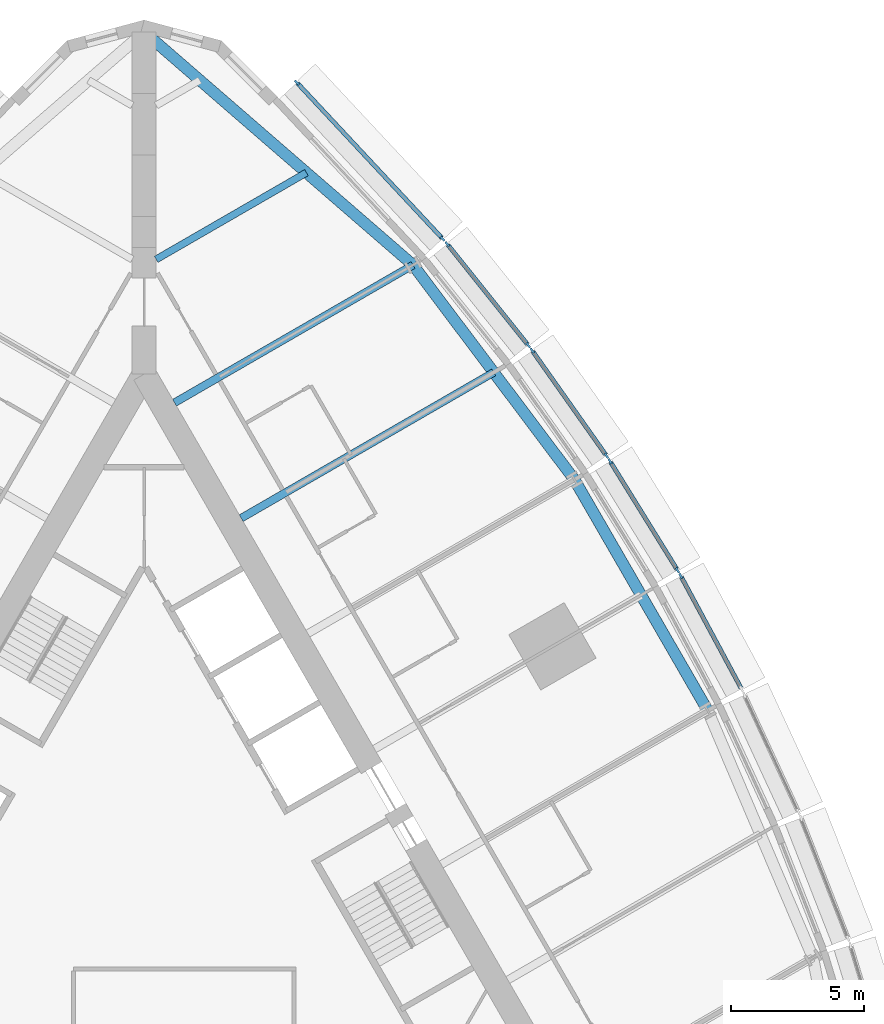
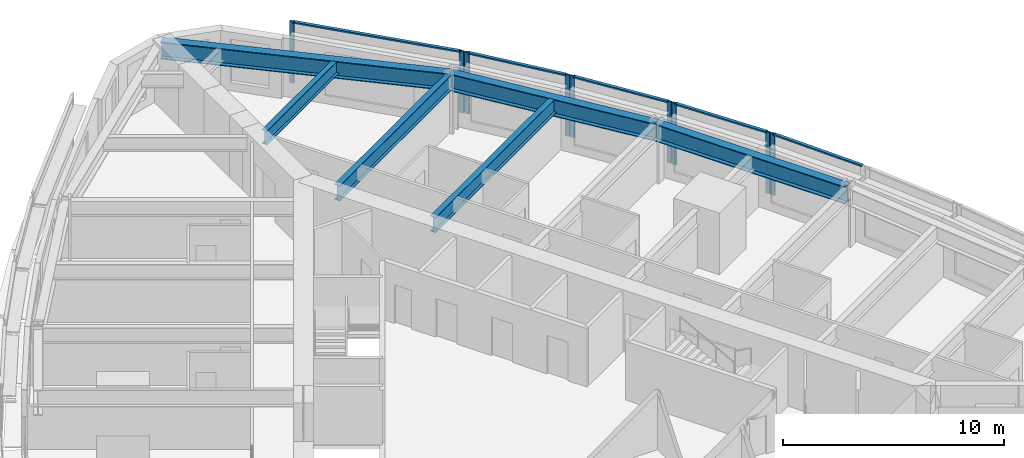
# One storey, part 5 of 14: 14 members, 6 beams, 5 elements without a shape of their own.
"""IFC4 building model written with IfcOpenShell, lengths in metres."""

from ifc_helpers import new_model, si_unit, direction, frame, origin, origin_2d, place, context, subcontext, project, spatial, rectangle, i_section, extrude, material, material_profile, profile_set, type_object, element, aggregate, save


model = new_model("IFC4")

# Units and contexts
model_context = context("Model", 3, precision=1e-05, world=origin(), true_north=direction((0.0, 1.0)))
body_context = subcontext(model_context, "Body", "Model", "MODEL_VIEW")
ifc_project = project(units=[si_unit("LENGTHUNIT", "METRE"), si_unit("AREAUNIT", "SQUARE_METRE"), si_unit("VOLUMEUNIT", "CUBIC_METRE"), si_unit("PLANEANGLEUNIT", "RADIAN"), si_unit("MASSUNIT", "GRAM", prefix="KILO")], contexts=[model_context])

# Site, building, storey
site_placement = place(None, origin())
site = spatial("IfcSite", under=ifc_project, at=site_placement, CompositionType="ELEMENT")
building_placement = place(site_placement, origin())
building = spatial("IfcBuilding", under=site, at=building_placement, Name="Trikona Tower", CompositionType="ELEMENT")
storey_placement = place(building_placement, frame((0.0, 0.0, 76.10009765625)))
storey = spatial("IfcBuildingStorey", under=building, at=storey_placement, Name="L19", CompositionType="ELEMENT", Elevation=76.10009765625)

# Curtain wall, member
ifc_material_1 = material(Name="Aluminium curtain wall system", Category="aluminium")
curtain_wall_type = type_object("IfcCurtainWallType", Name="Curtain wall DS1", PredefinedType="NOTDEFINED", material=ifc_material_1)
curtain_wall_1_placement = place(storey_placement, origin())
curtain_wall_1 = element("IfcCurtainWall", 1, at=curtain_wall_1_placement, inside=storey, type_object=curtain_wall_type, Name="Curtain wall DS1 L19", PredefinedType="NOTDEFINED")
ifc_material_2 = material(Name="Aluminium mullion, pale anodised", Category="aluminium")
ifc_material_profile_1 = material_profile(ifc_material_2, rectangle(XDim=0.080078125, YDim=0.219970703125, at=origin_2d()), Name="MUL-DS1")
ifc_profile_set_1 = profile_set([ifc_material_profile_1], Name="Aluminium mullion, pale anodised")
member_type_1 = type_object("IfcMemberType", Name="Mullion DS1 80x220", PredefinedType="MULLION", material=ifc_profile_set_1)
member_1_placement = place(storey_placement, frame((20.128662109375, 11.474365234375, 0.0), z_axis=(0.0, 0.0, 1.0), x_axis=(-0.880843080975, -0.473408350896, 0.0)))
member_1 = element("IfcMember", 2, at=member_1_placement, type_object=member_type_1, Name="CW-DS1 mullion 2", PredefinedType="MULLION", context=body_context, shape_type="SweptSolid", body=[
    extrude(rectangle(XDim=0.080078125, YDim=0.219970703125, at=origin_2d()), origin(), (0.0, 0.0, 1.0), 3.39990234375),
])

# Curtain wall, members
curtain_wall_2_placement = place(storey_placement, origin())
curtain_wall_2 = element("IfcCurtainWall", 3, at=curtain_wall_2_placement, inside=storey, type_object=curtain_wall_type, Name="Curtain wall DS1 L19", PredefinedType="NOTDEFINED")
member_2_placement = place(storey_placement, frame((20.00146484375, 11.69482421875, 0.0), z_axis=(0.0, 0.0, 1.0), x_axis=(-0.850410468941, -0.526119790842, 0.0)))
member_2 = element("IfcMember", 4, at=member_2_placement, type_object=member_type_1, Name="CW-DS1 mullion 1", PredefinedType="MULLION", context=body_context, shape_type="SweptSolid", body=[
    extrude(rectangle(XDim=0.080078125, YDim=0.219970703125, at=origin_2d()), origin(), (0.0, 0.0, 1.0), 3.39990234375),
])
member_3_placement = place(storey_placement, frame((17.474853515625, 15.77880859375, 0.0), z_axis=(0.0, 0.0, 1.0), x_axis=(-0.850410468941, -0.526119790842, 0.0)))
member_3 = element("IfcMember", 5, at=member_3_placement, type_object=member_type_1, Name="CW-DS1 mullion 2", PredefinedType="MULLION", context=body_context, shape_type="SweptSolid", body=[
    extrude(rectangle(XDim=0.080078125, YDim=0.219970703125, at=origin_2d()), origin(), (0.0, 0.0, 1.0), 3.39990234375),
])

curtain_wall_3_placement = place(storey_placement, origin())
curtain_wall_3 = element("IfcCurtainWall", 6, at=curtain_wall_3_placement, inside=storey, type_object=curtain_wall_type, Name="Curtain wall DS1 L19", PredefinedType="NOTDEFINED")
member_4_placement = place(storey_placement, frame((17.33447265625, 15.990966796875, 0.0), z_axis=(0.0, 0.0, 1.0), x_axis=(-0.816985393055, -0.576658362928, 0.0)))
member_4 = element("IfcMember", 7, at=member_4_placement, type_object=member_type_1, Name="CW-DS1 mullion 1", PredefinedType="MULLION", context=body_context, shape_type="SweptSolid", body=[
    extrude(rectangle(XDim=0.080078125, YDim=0.219970703125, at=origin_2d()), origin(), (0.0, 0.0, 1.0), 3.39990234375),
])
member_5_placement = place(storey_placement, frame((14.554443359375, 19.929443359375, 0.0), z_axis=(0.0, 0.0, 1.0), x_axis=(-0.816985393055, -0.576658362928, 0.0)))
member_5 = element("IfcMember", 8, at=member_5_placement, type_object=member_type_1, Name="CW-DS1 mullion 2", PredefinedType="MULLION", context=body_context, shape_type="SweptSolid", body=[
    extrude(rectangle(XDim=0.080078125, YDim=0.219970703125, at=origin_2d()), origin(), (0.0, 0.0, 1.0), 3.39990234375),
])

curtain_wall_4_placement = place(storey_placement, origin())
curtain_wall_4 = element("IfcCurtainWall", 9, at=curtain_wall_4_placement, inside=storey, type_object=curtain_wall_type, Name="Curtain wall DS1 L19", PredefinedType="NOTDEFINED")
member_6_placement = place(storey_placement, frame((14.40185546875, 20.13232421875, 0.0), z_axis=(0.0, 0.0, 1.0), x_axis=(-0.780937959679, -0.624608599951, 0.0)))
member_6 = element("IfcMember", 10, at=member_6_placement, type_object=member_type_1, Name="CW-DS1 mullion 1", PredefinedType="MULLION", context=body_context, shape_type="SweptSolid", body=[
    extrude(rectangle(XDim=0.080078125, YDim=0.219970703125, at=origin_2d()), origin(), (0.0, 0.0, 1.0), 3.39990234375),
])
member_7_placement = place(storey_placement, frame((11.36767578125, 23.926025390625, 0.0), z_axis=(0.0, 0.0, 1.0), x_axis=(-0.780937959679, -0.624608599951, 0.0)))
member_7 = element("IfcMember", 11, at=member_7_placement, type_object=member_type_1, Name="CW-DS1 mullion 2", PredefinedType="MULLION", context=body_context, shape_type="SweptSolid", body=[
    extrude(rectangle(XDim=0.080078125, YDim=0.219970703125, at=origin_2d()), origin(), (0.0, 0.0, 1.0), 3.39990234375),
])

curtain_wall_5_placement = place(storey_placement, origin())
curtain_wall_5 = element("IfcCurtainWall", 12, at=curtain_wall_5_placement, inside=storey, type_object=curtain_wall_type, Name="Curtain wall DS1 L19", PredefinedType="NOTDEFINED")
member_8_placement = place(storey_placement, frame((11.192138671875, 24.129150390625, 0.0), z_axis=(0.0, 0.0, 1.0), x_axis=(-0.731076639405, -0.682295351967, 0.0)))
member_8 = element("IfcMember", 13, at=member_8_placement, type_object=member_type_1, Name="CW-DS1 mullion 1", PredefinedType="MULLION", context=body_context, shape_type="SweptSolid", body=[
    extrude(rectangle(XDim=0.080078125, YDim=0.219970703125, at=origin_2d()), origin(), (0.0, 0.0, 1.0), 3.39990234375),
])
member_9_placement = place(storey_placement, frame((5.72607421875, 29.98583984375, 0.0), z_axis=(0.0, 0.0, 1.0), x_axis=(-0.731076639405, -0.682295351967, 0.0)))
member_9 = element("IfcMember", 14, at=member_9_placement, type_object=member_type_1, Name="CW-DS1 mullion 2", PredefinedType="MULLION", context=body_context, shape_type="SweptSolid", body=[
    extrude(rectangle(XDim=0.080078125, YDim=0.219970703125, at=origin_2d()), origin(), (0.0, 0.0, 1.0), 3.39990234375),
])

# Beams
ifc_material_3 = material(Name="Steel ASTM A992 Grade 50", Category="steel")
ifc_material_profile_2 = material_profile(ifc_material_3, i_section(OverallWidth=0.2666015625, OverallDepth=0.76953125, WebThickness=0.015625, FlangeThickness=0.025390625, at=origin_2d()), Name="W30X132")
ifc_profile_set_2 = profile_set([ifc_material_profile_2], Name="Steel ASTM A992 Grade 50")
beam_type_1 = type_object("IfcBeamType", Name="Steel beam W30x132 (wedge)", PredefinedType="BEAM", material=ifc_profile_set_2)
beam_1_placement = place(storey_placement, frame((0.449951171875, 23.353759765625, 2.85009765625), z_axis=(0.866022504693, 0.50000502134, 0.0), x_axis=(-0.50000502134, 0.866022504693, 0.0)))
element("IfcBeam", 15, at=beam_1_placement, inside=storey, type_object=beam_type_1, Name="Floor beam L20 F2 u20", PredefinedType="BEAM", context=body_context, shape_type="SweptSolid", body=[
    extrude(i_section(OverallWidth=0.2666015625, OverallDepth=0.76953125, WebThickness=0.015625, FlangeThickness=0.025390625, at=origin_2d()), origin(), (0.0, 0.0, 1.0), 6.5068359375),
])
ifc_material_4 = material(Name="Steel ASTM A992 Grade 50", Category="steel")
ifc_material_profile_3 = material_profile(ifc_material_4, i_section(OverallWidth=0.2919921875, OverallDepth=0.845703125, WebThickness=0.015380859375, FlangeThickness=0.0244140625, at=origin_2d()), Name="W33X141")
ifc_profile_set_3 = profile_set([ifc_material_profile_3], Name="Steel ASTM A992 Grade 50")
beam_type_2 = type_object("IfcBeamType", Name="Steel beam W33x141 (radial typ)", PredefinedType="BEAM", material=ifc_profile_set_3)
beam_2_placement = place(storey_placement, frame((3.6396484375, 13.6484375, 2.81201171875), z_axis=(0.866025348605, 0.500000095573, 0.0), x_axis=(-0.500000095573, 0.866025348605, 0.0)))
element("IfcBeam", 16, at=beam_2_placement, inside=storey, type_object=beam_type_2, Name="Floor beam L20 F2 u10", PredefinedType="BEAM", context=body_context, shape_type="SweptSolid", body=[
    extrude(i_section(OverallWidth=0.2919921875, OverallDepth=0.845703125, WebThickness=0.015380859375, FlangeThickness=0.0244140625, at=origin_2d()), origin(), (0.0, 0.0, 1.0), 10.935546875),
])
beam_3_placement = place(storey_placement, frame((1.1396484375, 17.978515625, 2.81201171875), z_axis=(0.866030471684, 0.499991222037, 0.0), x_axis=(-0.499991222037, 0.866030471684, 0.0)))
element("IfcBeam", 17, at=beam_3_placement, inside=storey, type_object=beam_type_2, Name="Floor beam L20 F2 u15", PredefinedType="BEAM", context=body_context, shape_type="SweptSolid", body=[
    extrude(i_section(OverallWidth=0.2919921875, OverallDepth=0.845703125, WebThickness=0.015380859375, FlangeThickness=0.0244140625, at=origin_2d()), origin(), (0.0, 0.0, 1.0), 10.326904296875),
])
ifc_material_5 = material(Name="Steel ASTM A992 Grade 50", Category="steel")
ifc_material_profile_4 = material_profile(ifc_material_5, i_section(OverallWidth=0.424072265625, OverallDepth=0.947509765625, WebThickness=0.02392578125, FlangeThickness=0.042724609375, at=origin_2d()), Name="W36X302")
ifc_profile_set_4 = profile_set([ifc_material_profile_4], Name="Steel ASTM A992 Grade 50")
beam_type_3 = type_object("IfcBeamType", Name="Steel beam W36x302 (spandrel)", PredefinedType="SPANDREL", material=ifc_profile_set_4)
beam_4_placement = place(storey_placement, frame((21.13720703125, 6.43017578125, 2.76123046875), z_axis=(-0.500004234368, 0.866022959057, 0.0), x_axis=(-0.866022959057, -0.500004234368, 0.0)))
element("IfcBeam", 18, at=beam_4_placement, inside=storey, type_object=beam_type_3, Name="Spandrel beam L20 F2-3", PredefinedType="SPANDREL", context=body_context, shape_type="SweptSolid", body=[
    extrude(i_section(OverallWidth=0.424072265625, OverallDepth=0.947509765625, WebThickness=0.02392578125, FlangeThickness=0.042724609375, at=origin_2d()), origin(), (0.0, 0.0, 1.0), 10.0),
])
beam_5_placement = place(storey_placement, frame((16.13720703125, 15.09033203125, 2.76123046875), z_axis=(-0.600988344191, 0.799257787042, 0.0), x_axis=(-0.799257787042, -0.600988344191, 0.0)))
element("IfcBeam", 19, at=beam_5_placement, inside=storey, type_object=beam_type_3, Name="Spandrel beam L20 F2-4", PredefinedType="SPANDREL", context=body_context, shape_type="SweptSolid", body=[
    extrude(i_section(OverallWidth=0.424072265625, OverallDepth=0.947509765625, WebThickness=0.02392578125, FlangeThickness=0.042724609375, at=origin_2d()), origin(), (0.0, 0.0, 1.0), 10.07373046875),
])
beam_6_placement = place(storey_placement, frame((10.0830078125, 23.141845703125, 2.76123046875), z_axis=(-0.755646822726, 0.654979296851, 0.0), x_axis=(-0.654979296851, -0.755646822726, 0.0)))
element("IfcBeam", 20, at=beam_6_placement, inside=storey, type_object=beam_type_3, Name="Spandrel beam L20 F2-5", PredefinedType="SPANDREL", context=body_context, shape_type="SweptSolid", body=[
    extrude(i_section(OverallWidth=0.424072265625, OverallDepth=0.947509765625, WebThickness=0.02392578125, FlangeThickness=0.042724609375, at=origin_2d()), origin(), (0.0, 0.0, 1.0), 13.343505859375),
])

# Member
ifc_material_6 = material(Name="Aluminium transom, pale anodised", Category="aluminium")
ifc_material_profile_5 = material_profile(ifc_material_6, rectangle(XDim=0.159912109375, YDim=0.080078125, at=origin_2d()), Name="TRN-DS1")
ifc_profile_set_5 = profile_set([ifc_material_profile_5], Name="Aluminium transom, pale anodised")
member_type_2 = type_object("IfcMemberType", Name="Transom DS1 80x160", PredefinedType="USERDEFINED", material=ifc_profile_set_5)
member_10_placement = place(storey_placement, frame((22.38330078125, 7.279541015625, 3.35986328125), z_axis=(-0.473427569755, 0.880832751546, 0.0), x_axis=(-0.880832751546, -0.473427569755, 0.0)))
member_10 = element("IfcMember", 21, at=member_10_placement, type_object=member_type_2, Name="CW-DS1 transom 1.1", ObjectType="TRANSOM", PredefinedType="USERDEFINED", context=body_context, shape_type="SweptSolid", body=[
    extrude(rectangle(XDim=0.159912109375, YDim=0.080078125, at=origin_2d()), origin(), (0.0, 0.0, 1.0), 4.72216796875),
])

aggregate(curtain_wall_1, [member_1, member_10])

member_11_placement = place(storey_placement, frame((19.980224609375, 11.728759765625, 3.35986328125), z_axis=(-0.526080502257, 0.850434774186, 0.0), x_axis=(-0.850434774186, -0.526080502257, 0.0)))
member_11 = element("IfcMember", 22, at=member_11_placement, type_object=member_type_2, Name="CW-DS1 transom 1.1", ObjectType="TRANSOM", PredefinedType="USERDEFINED", context=body_context, shape_type="SweptSolid", body=[
    extrude(rectangle(XDim=0.159912109375, YDim=0.080078125, at=origin_2d()), origin(), (0.0, 0.0, 1.0), 4.722412109375),
])

aggregate(curtain_wall_2, [member_2, member_3, member_11])

member_12_placement = place(storey_placement, frame((17.311279296875, 16.023681640625, 3.35986328125), z_axis=(-0.57664478015, 0.816994980111, 0.0), x_axis=(-0.816994980111, -0.57664478015, 0.0)))
member_12 = element("IfcMember", 23, at=member_12_placement, type_object=member_type_2, Name="CW-DS1 transom 1.1", ObjectType="TRANSOM", PredefinedType="USERDEFINED", context=body_context, shape_type="SweptSolid", body=[
    extrude(rectangle(XDim=0.159912109375, YDim=0.080078125, at=origin_2d()), origin(), (0.0, 0.0, 1.0), 4.740478515625),
])

aggregate(curtain_wall_3, [member_4, member_5, member_12])

member_13_placement = place(storey_placement, frame((14.376953125, 20.16357421875, 3.35986328125), z_axis=(-0.624589103832, 0.780953552636, 0.0), x_axis=(-0.780953552636, -0.624589103832, 0.0)))
member_13 = element("IfcMember", 24, at=member_13_placement, type_object=member_type_2, Name="CW-DS1 transom 1.1", ObjectType="TRANSOM", PredefinedType="USERDEFINED", context=body_context, shape_type="SweptSolid", body=[
    extrude(rectangle(XDim=0.159912109375, YDim=0.080078125, at=origin_2d()), origin(), (0.0, 0.0, 1.0), 4.77783203125),
])

aggregate(curtain_wall_4, [member_6, member_7, member_13])

member_14_placement = place(storey_placement, frame((11.164794921875, 24.158203125, 3.35986328125), z_axis=(-0.682290830921, 0.731080858758, 0.0), x_axis=(-0.731080858758, -0.682290830921, 0.0)))
member_14 = element("IfcMember", 25, at=member_14_placement, type_object=member_type_2, Name="CW-DS1 transom 1.1", ObjectType="TRANSOM", PredefinedType="USERDEFINED", context=body_context, shape_type="SweptSolid", body=[
    extrude(rectangle(XDim=0.159912109375, YDim=0.080078125, at=origin_2d()), origin(), (0.0, 0.0, 1.0), 7.93115234375),
])

aggregate(curtain_wall_5, [member_8, member_9, member_14])

save(model, "model.ifc")
